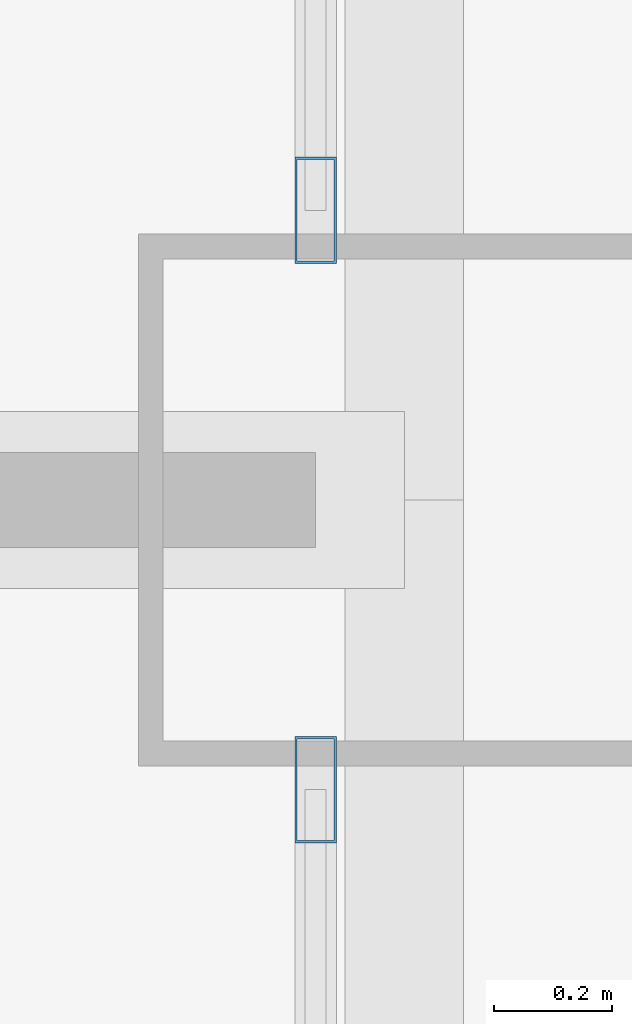
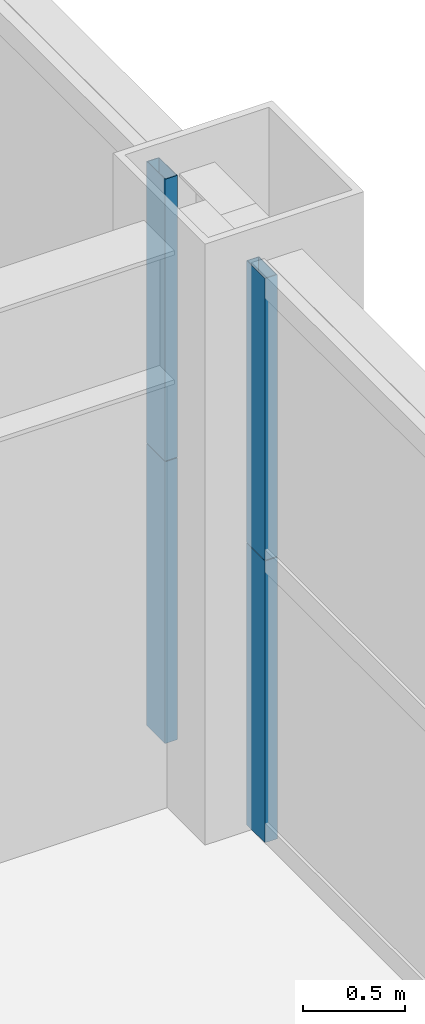
# One storey, part 21 of 43: 4 members, 2 elements without a shape of their own.
"""IFC4 building model written with IfcOpenShell, lengths in metres."""

import ifcopenshell
import ifcopenshell.guid

model = None  # the IFC model being written
_history = None  # IfcOwnerHistory: only IFC2X3 demands one
_inside = {}  # id of a spatial element -> (the spatial element, [elements in it])
_under = {}  # id of a project, library or spatial element -> (it, [spatial elements below it])
_declared = {}  # id of a project -> (the project, [libraries it declares])
_typed = {}  # id of a type object -> (the type object, [elements of that type])
_made_of = {}  # id of a material, layer set ... -> (it, [elements and type objects made of it])


def new_model(schema):
    """Start an empty IFC model of exactly this schema.

    Asked for "IFC4X3", IfcOpenShell would pick the latest addendum, in which some entities
    have other attributes; the version numbers below select the first issue.
    IFC2X3 requires an IfcOwnerHistory on every rooted entity: one is made here for all.
    """
    global model, _history
    if schema == "IFC4X3":
        model = ifcopenshell.file(schema_version=(4, 3, 0, 0))
    else:
        model = ifcopenshell.file(schema=schema)
    _inside.clear()
    _under.clear()
    _declared.clear()
    _typed.clear()
    _made_of.clear()
    _history = None
    if model.schema == "IFC2X3":
        org = make("IfcOrganization", Name="unknown")
        user = make(
            "IfcPersonAndOrganization",
            ThePerson=make("IfcPerson", FamilyName="unknown"),
            TheOrganization=org,
        )
        app = make(
            "IfcApplication",
            ApplicationDeveloper=org,
            Version="unknown",
            ApplicationFullName="unknown",
            ApplicationIdentifier="unknown",
        )
        _history = make(
            "IfcOwnerHistory",
            OwningUser=user,
            OwningApplication=app,
            ChangeAction="ADDED",
            CreationDate=0,
        )
    return model


def make(cls, **values):
    """One entity of the class cls with the attributes given. An attribute that is None is left unset."""
    return model.create_entity(
        cls, **{name: value for name, value in values.items() if value is not None}
    )


def rooted(cls, **values):
    """An entity with a GlobalId (a new one), such as an element, a storey or a relation."""
    return make(cls, GlobalId=ifcopenshell.guid.new(), OwnerHistory=_history, **values)


def si_unit(unit_type, name, prefix=None):
    """IfcSIUnit, for example si_unit("LENGTHUNIT", "METRE", prefix="MILLI")."""
    return make("IfcSIUnit", UnitType=unit_type, Prefix=prefix, Name=name)


def assignment(units):
    """IfcUnitAssignment: the units of a project."""
    return None if units is None else make("IfcUnitAssignment", Units=units)


def point(xyz):
    """IfcCartesianPoint."""
    return None if xyz is None else make("IfcCartesianPoint", Coordinates=xyz)


def direction(xyz):
    """IfcDirection."""
    return None if xyz is None else make("IfcDirection", DirectionRatios=xyz)


def frame(location, z_axis=None, x_axis=None):
    """IfcAxis2Placement3D, a coordinate frame: its origin and axes. An axis left out is left unset."""
    return make(
        "IfcAxis2Placement3D",
        Location=point(location),
        Axis=direction(z_axis),
        RefDirection=direction(x_axis),
    )


def frame_2d(location, x_axis=None):
    """IfcAxis2Placement2D, a coordinate frame in the plane: its origin and x axis."""
    return make(
        "IfcAxis2Placement2D", Location=point(location), RefDirection=direction(x_axis)
    )


def origin():
    """The frame at (0, 0, 0) with its axes left unset."""
    return frame((0.0, 0.0, 0.0))


def origin_2d():
    """The frame at (0, 0) in the plane with its x axis left unset."""
    return frame_2d((0.0, 0.0))


def place(relative_to, where):
    """IfcLocalPlacement: puts the frame where relative to a parent placement (None: the world)."""
    return make(
        "IfcLocalPlacement", PlacementRelTo=relative_to, RelativePlacement=where
    )


def context(
    kind, dimensions, precision=None, world=None, true_north=None, identifier=None
):
    """IfcGeometricRepresentationContext, for example the 3D "Model" context."""
    return make(
        "IfcGeometricRepresentationContext",
        ContextIdentifier=identifier,
        ContextType=kind,
        CoordinateSpaceDimension=dimensions,
        Precision=precision,
        WorldCoordinateSystem=world,
        TrueNorth=true_north,
    )


def subcontext(parent, identifier, kind, view, scale=None):
    """IfcGeometricRepresentationSubContext, for example "Body" below "Model"."""
    return make(
        "IfcGeometricRepresentationSubContext",
        ContextIdentifier=identifier,
        ContextType=kind,
        ParentContext=parent,
        TargetScale=scale,
        TargetView=view,
    )


def project(units=None, contexts=None):
    """IfcProject with its units and contexts."""
    return rooted(
        "IfcProject",
        Name="project",
        RepresentationContexts=contexts,
        UnitsInContext=assignment(units),
    )


def spatial(cls, under=None, at=None, **own):
    """A site, building, storey or space (cls), placed at a placement, below another one or the project."""
    s = rooted(cls, ObjectPlacement=at, **own)
    if under is not None:
        _under.setdefault(under.id(), (under, []))[1].append(s)
    return s


def profile(cls, at=None, kind="AREA", **sizes):
    """A parametric profile (cls). Its sizes go by their IFC names, for example OverallWidth=200.0."""
    return make(cls, ProfileType=kind, Position=at, **sizes)


def hollow_rectangle(**sizes):
    """IfcRectangleHollowProfileDef."""
    return profile("IfcRectangleHollowProfileDef", **sizes)


def extrude(swept, where, along, depth):
    """IfcExtrudedAreaSolid: the profile swept, set in the frame where, extruded along a direction by depth."""
    return make(
        "IfcExtrudedAreaSolid",
        SweptArea=swept,
        Position=where,
        ExtrudedDirection=direction(along),
        Depth=depth,
    )


def shape(context_of_items, identifier, shape_type, items):
    """IfcShapeRepresentation: the items that make up one representation, for example the "Body"."""
    return make(
        "IfcShapeRepresentation",
        ContextOfItems=context_of_items,
        RepresentationIdentifier=identifier,
        RepresentationType=shape_type,
        Items=items,
    )


def source(mapping_origin, context_of_items, identifier, shape_type, items):
    """IfcRepresentationMap: a shape defined once, which mapped items show again and again."""
    return make(
        "IfcRepresentationMap",
        MappingOrigin=mapping_origin,
        MappedRepresentation=shape(context_of_items, identifier, shape_type, items),
    )


def transform(
    local_origin,
    x_axis=None,
    y_axis=None,
    z_axis=None,
    scale=None,
    scale2=None,
    scale3=None,
    uniform=True,
):
    """IfcCartesianTransformationOperator3D, or its non-uniform kind. x_axis, y_axis, z_axis: its Axis1, 2, 3."""
    if uniform:
        return make(
            "IfcCartesianTransformationOperator3D",
            Axis1=direction(x_axis),
            Axis2=direction(y_axis),
            LocalOrigin=point(local_origin),
            Scale=scale,
            Axis3=direction(z_axis),
        )
    return make(
        "IfcCartesianTransformationOperator3DnonUniform",
        Axis1=direction(x_axis),
        Axis2=direction(y_axis),
        LocalOrigin=point(local_origin),
        Scale=scale,
        Axis3=direction(z_axis),
        Scale2=scale2,
        Scale3=scale3,
    )


def mapped(mapping_source, mapping_target):
    """IfcMappedItem: shows the shape of a source again, moved by a transform."""
    return make(
        "IfcMappedItem", MappingSource=mapping_source, MappingTarget=mapping_target
    )


def material(Name=None, Category=None):
    """IfcMaterial."""
    return make("IfcMaterial", Name=Name, Category=Category)


def layer(
    of_material, thickness, ventilated=None, Name=None, Category=None, Priority=None
):
    """IfcMaterialLayer: one layer of a wall or slab, of a material (None: an air gap)."""
    return make(
        "IfcMaterialLayer",
        Material=of_material,
        LayerThickness=thickness,
        IsVentilated=ventilated,
        Name=Name,
        Category=Category,
        Priority=Priority,
    )


def layer_set(layers, Name=None):
    """IfcMaterialLayerSet."""
    return make("IfcMaterialLayerSet", MaterialLayers=layers, LayerSetName=Name)


def material_profile(
    of_material, cross_section, Name=None, Category=None, Priority=None
):
    """IfcMaterialProfile: a cross section and its material."""
    return make(
        "IfcMaterialProfile",
        Name=Name,
        Material=of_material,
        Profile=cross_section,
        Priority=Priority,
        Category=Category,
    )


def profile_set(profiles, Name=None, composite=None):
    """IfcMaterialProfileSet."""
    return make(
        "IfcMaterialProfileSet",
        Name=Name,
        MaterialProfiles=profiles,
        CompositeProfile=composite,
    )


def made_of(thing, what):
    """Note that an element or type object is made of a material, layer set ...; save() writes the relation."""
    if what is not None:
        _made_of.setdefault(what.id(), (what, []))[1].append(thing)
    return thing


def type_object(cls, material=None, **own):
    """A type object (cls), such as IfcWallType, which elements share."""
    return made_of(rooted(cls, **own), material)


def element(
    cls,
    number,
    at=None,
    inside=None,
    cuts=None,
    type_object=None,
    material=None,
    context=None,
    identifier="Body",
    shape_type=None,
    held_by="IfcProductDefinitionShape",
    body=None,
    shapes=None,
    **own,
):
    """One element of the class cls, such as IfcWall. Its Tag is "e" and its number.

    at: its placement. inside: the storey or other place that contains it. cuts: it is an
    opening in that element (IfcRelVoidsElement). A single representation is given by context,
    identifier, shape_type and body (its items); several are given by shapes. held_by: the class
    of the entity that holds the representations. save() writes the other relations.
    """
    e = rooted(cls, Tag="e%d" % number, ObjectPlacement=at, **own)
    if body is not None:
        shapes = [shape(context, identifier, shape_type, body)]
    if shapes is not None:
        e.Representation = make(held_by, Representations=shapes)
    if inside is not None:
        _inside.setdefault(inside.id(), (inside, []))[1].append(e)
    if cuts is not None:
        rooted(
            "IfcRelVoidsElement", RelatingBuildingElement=cuts, RelatedOpeningElement=e
        )
    if type_object is not None:
        _typed.setdefault(type_object.id(), (type_object, []))[1].append(e)
    return made_of(e, material)


def aggregate(whole, parts):
    """IfcRelAggregates: a whole, such as a stair, and the parts it consists of."""
    return rooted("IfcRelAggregates", RelatingObject=whole, RelatedObjects=parts)


def save(model, path):
    """Write the relations noted so far, then the file.

    IfcRelAggregates (storeys below a building ...), IfcRelContainedInSpatialStructure (elements
    in a storey), IfcRelDefinesByType, IfcRelAssociatesMaterial and IfcRelDeclares: one each for
    every whole, place, type object, material and project.
    """
    for whole, parts in _under.values():
        aggregate(whole, parts)
    for where, things in _inside.values():
        rooted(
            "IfcRelContainedInSpatialStructure",
            RelatedElements=things,
            RelatingStructure=where,
        )
    for kind, things in _typed.values():
        rooted("IfcRelDefinesByType", RelatedObjects=things, RelatingType=kind)
    for what, things in _made_of.values():
        rooted("IfcRelAssociatesMaterial", RelatedObjects=things, RelatingMaterial=what)
    for by, libraries in _declared.values():
        rooted("IfcRelDeclares", RelatingContext=by, RelatedDefinitions=libraries)
    model.write(path)


model = new_model("IFC4")

# Units and contexts
model_context = context("Model", 3, precision=1e-05, world=origin(), true_north=direction((0.0, 1.0)))
body_context = subcontext(model_context, "Body", "Model", "MODEL_VIEW")
ifc_project = project(units=[si_unit("LENGTHUNIT", "METRE"), si_unit("AREAUNIT", "SQUARE_METRE"), si_unit("VOLUMEUNIT", "CUBIC_METRE"), si_unit("PLANEANGLEUNIT", "RADIAN"), si_unit("MASSUNIT", "GRAM", prefix="KILO"), si_unit("THERMODYNAMICTEMPERATUREUNIT", "KELVIN"), si_unit("POWERUNIT", "WATT")], contexts=[model_context])

# Site, building, storey
site_placement = place(None, origin())
site = spatial("IfcSite", under=ifc_project, at=site_placement, CompositionType="ELEMENT")
building_placement = place(site_placement, origin())
building = spatial("IfcBuilding", under=site, at=building_placement, Name="Yuzanri Waterfront Tower", CompositionType="ELEMENT")
storey_placement = place(building_placement, frame((0.0, 0.0, 60.39990234375)))
storey = spatial("IfcBuildingStorey", under=building, at=storey_placement, Name="L15", CompositionType="ELEMENT", Elevation=60.39990234375)

# Curtain wall, members
ifc_material_1 = material(Name="Anodized Architectural Bronze", Category="metal")
ifc_layer = layer(ifc_material_1, 0.159912109375)
ifc_layer_set = layer_set([ifc_layer], Name="Anodized Architectural Bronze")
curtain_wall_type = type_object("IfcCurtainWallType", Name="Anodized Bronze Hotel Lower-Tier Recessed Unitized Curtain Wall 8100", PredefinedType="NOTDEFINED", material=ifc_layer_set)
curtain_wall_1_placement = place(storey_placement, origin())
curtain_wall_1 = element("IfcCurtainWall", 1, at=curtain_wall_1_placement, inside=storey, type_object=curtain_wall_type, Name="L15 Curtain Wall CW-L15-EL", PredefinedType="NOTDEFINED")
ifc_material_2 = material(Name="Anodized Architectural Bronze", Category="metal")
ifc_material_profile = material_profile(ifc_material_2, hollow_rectangle(XDim=0.070068359375, YDim=0.179931640625, WallThickness=0.00390625, at=origin_2d()), Name="CWM 70x180")
ifc_profile_set = profile_set([ifc_material_profile], Name="Anodized Architectural Bronze")
member_type = type_object("IfcMemberType", Name="Anodized Bronze Standard Curtain-Wall Mullion 70x180", PredefinedType="MULLION", material=ifc_profile_set)
shared_shape = source(origin(), body_context, "Body", "SweptSolid", [
    extrude(hollow_rectangle(XDim=0.070068359375, YDim=0.179931640625, WallThickness=0.00390625, at=origin_2d()), origin(), (0.0, 0.0, 1.0), 1.68798828125),
])
member_1_placement = place(storey_placement, frame((61.949951171875, 25.31005859375, 0.0), z_axis=(0.0, 0.0, 1.0), x_axis=(1.0, 0.0, 0.0)))
member_1 = element("IfcMember", 2, at=member_1_placement, type_object=member_type, Name="CW-L15-EL Lower Mullion 02", PredefinedType="MULLION", context=body_context, shape_type="MappedRepresentation", body=[
    mapped(shared_shape, transform((0.0, 0.0, 0.0), scale=1.0)),
])
member_2_placement = place(storey_placement, frame((61.949951171875, 25.31005859375, 1.692138671875), z_axis=(0.0, 0.0, 1.0), x_axis=(1.0, 0.0, 0.0)))
member_2 = element("IfcMember", 3, at=member_2_placement, type_object=member_type, Name="CW-L15-EL Upper Mullion 02", PredefinedType="MULLION", context=body_context, shape_type="MappedRepresentation", body=[
    mapped(shared_shape, transform((0.0, 0.0, 0.0), scale=1.0)),
])
aggregate(curtain_wall_1, [member_1, member_2])

curtain_wall_2_placement = place(storey_placement, origin())
curtain_wall_2 = element("IfcCurtainWall", 4, at=curtain_wall_2_placement, inside=storey, type_object=curtain_wall_type, Name="L15 Curtain Wall CW-L15-ER", PredefinedType="NOTDEFINED")
member_3_placement = place(storey_placement, frame((61.949951171875, 26.2900390625, 0.0), z_axis=(0.0, 0.0, 1.0), x_axis=(1.0, 0.0, 0.0)))
member_3 = element("IfcMember", 5, at=member_3_placement, type_object=member_type, Name="CW-L15-ER Lower Mullion 00", PredefinedType="MULLION", context=body_context, shape_type="MappedRepresentation", body=[
    mapped(shared_shape, transform((0.0, 0.0, 0.0), scale=1.0)),
])
member_4_placement = place(storey_placement, frame((61.949951171875, 26.2900390625, 1.692138671875), z_axis=(0.0, 0.0, 1.0), x_axis=(1.0, 0.0, 0.0)))
member_4 = element("IfcMember", 6, at=member_4_placement, type_object=member_type, Name="CW-L15-ER Upper Mullion 00", PredefinedType="MULLION", context=body_context, shape_type="MappedRepresentation", body=[
    mapped(shared_shape, transform((0.0, 0.0, 0.0), scale=1.0)),
])
aggregate(curtain_wall_2, [member_3, member_4])

save(model, "model.ifc")
